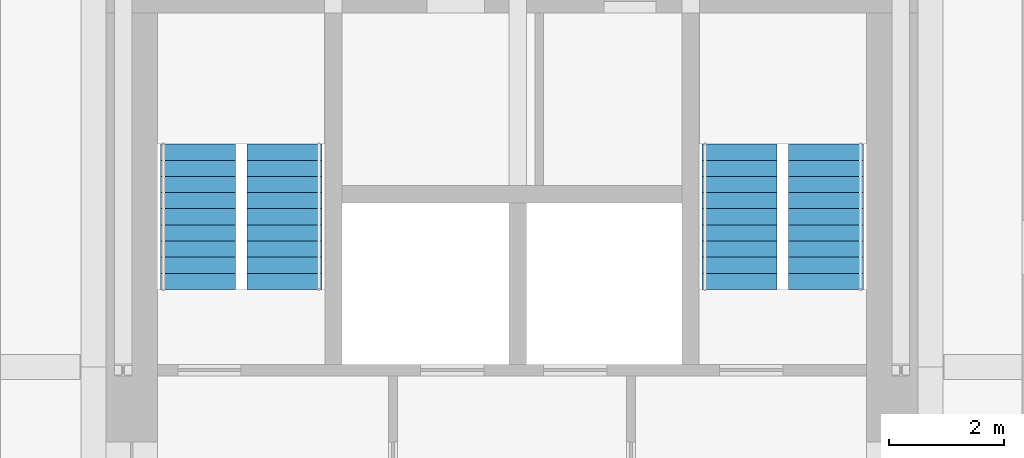
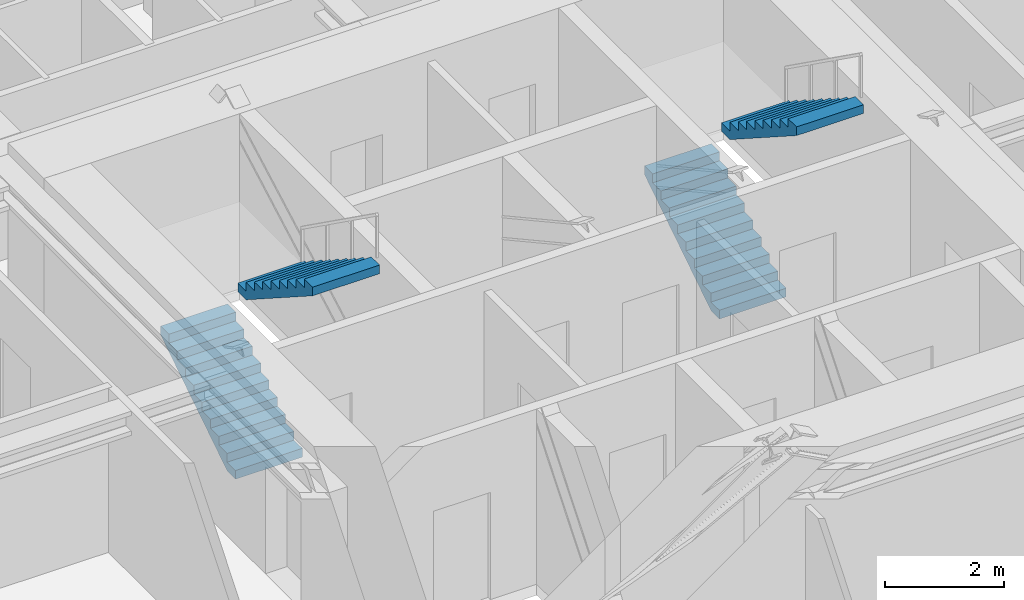
# One storey, part 7 of 8: 4 stair flights, 2 elements without a shape of their own.
"""IFC4 building model written with IfcOpenShell, lengths in metres."""

from ifc_helpers import new_model, si_unit, direction, frame, origin, place, context, subcontext, project, spatial, polyline, outline, extrude, material, type_object, element, aggregate, save


model = new_model("IFC4")

# Units and contexts
model_context = context("Model", 3, precision=1e-05, world=origin(), true_north=direction((0.0, 1.0)))
body_context = subcontext(model_context, "Body", "Model", "MODEL_VIEW")
ifc_project = project(units=[si_unit("LENGTHUNIT", "METRE"), si_unit("AREAUNIT", "SQUARE_METRE"), si_unit("VOLUMEUNIT", "CUBIC_METRE"), si_unit("PLANEANGLEUNIT", "RADIAN"), si_unit("MASSUNIT", "GRAM", prefix="KILO")], contexts=[model_context])

# Site, building, storey
site_placement = place(None, origin())
site = spatial("IfcSite", under=ifc_project, at=site_placement, CompositionType="ELEMENT")
building_placement = place(site_placement, origin())
building = spatial("IfcBuilding", under=site, at=building_placement, Name="Nyansa Garden Tower", CompositionType="ELEMENT")
storey_placement = place(building_placement, frame((0.0, 0.0, 222.300048828125)))
storey = spatial("IfcBuildingStorey", under=building, at=storey_placement, Name="L60", CompositionType="ELEMENT", Elevation=222.300048828125)

# Stair, stair flights
ifc_material_1 = material(Name="Precast concrete C40/50", Category="concrete")
stair_type_1 = type_object("IfcStairType", Name="Stair S1 180x280", PredefinedType="HALF_TURN_STAIR", material=ifc_material_1)
stair_1_placement = place(storey_placement, origin())
stair_1 = element("IfcStair", 1, at=stair_1_placement, inside=storey, type_object=stair_type_1, Name="Stair S1 L60", PredefinedType="HALF_TURN_STAIR")
ifc_material_2 = material(Name="Precast concrete C40/50", Category="concrete")
stair_flight_type_1 = type_object("IfcStairFlightType", Name="Stair flight S1 180x280x10", PredefinedType="STRAIGHT", material=ifc_material_2)
stair_flight_1_placement = place(storey_placement, frame((14.800048828125, 21.60009765625, 0.0), z_axis=(0.0, 0.0, 1.0), x_axis=(0.0, 1.0, 0.0)))
stair_flight_1 = element("IfcStairFlight", 2, at=stair_flight_1_placement, type_object=stair_flight_type_1, Name="S1 flight 1", NumberOfRisers=10, NumberOfTreads=9, PredefinedType="STRAIGHT", RiserHeight=0.18, TreadLength=0.28, context=body_context, shape_type="SweptSolid", body=[
    extrude(outline(polyline([(0.0, 0.0), (0.0, 0.179931640625), (0.280029296875, 0.179931640625), (0.280029296875, 0.360107421875), (0.56005859375, 0.360107421875), (0.56005859375, 0.5400390625), (0.840087890625, 0.5400390625), (0.840087890625, 0.719970703125), (1.1201171875, 0.719970703125), (1.1201171875, 0.89990234375), (1.39990234375, 0.89990234375), (1.39990234375, 1.080078125), (1.679931640625, 1.080078125), (1.679931640625, 1.260009765625), (1.9599609375, 1.260009765625), (1.9599609375, 1.43994140625), (2.239990234375, 1.43994140625), (2.239990234375, 1.6201171875), (2.52001953125, 1.6201171875), (2.52001953125, 1.800048828125), (2.52001953125, 1.44189453125), (0.277099609375, 0.0), (0.0, 0.0)])), frame((0.0, 0.64990234375, 0.0), z_axis=(0.0, -1.0, 0.0), x_axis=(1.0, 0.0, 0.0)), (0.0, 0.0, 1.0), 1.300048828125),
])
stair_flight_2_placement = place(storey_placement, frame((16.300048828125, 24.1201171875, 1.800048828125), z_axis=(0.0, 0.0, 1.0), x_axis=(0.0, -1.0, 0.0)))
stair_flight_2 = element("IfcStairFlight", 3, at=stair_flight_2_placement, type_object=stair_flight_type_1, Name="S1 flight 2", NumberOfRisers=10, NumberOfTreads=9, PredefinedType="STRAIGHT", RiserHeight=0.18, TreadLength=0.28, context=body_context, shape_type="SweptSolid", body=[
    extrude(outline(polyline([(0.0, 0.0), (0.0, 0.179931640625), (0.280029296875, 0.179931640625), (0.280029296875, 0.360107421875), (0.56005859375, 0.360107421875), (0.56005859375, 0.5400390625), (0.840087890625, 0.5400390625), (0.840087890625, 0.719970703125), (1.1201171875, 0.719970703125), (1.1201171875, 0.89990234375), (1.39990234375, 0.89990234375), (1.39990234375, 1.080078125), (1.679931640625, 1.080078125), (1.679931640625, 1.260009765625), (1.9599609375, 1.260009765625), (1.9599609375, 1.43994140625), (2.239990234375, 1.43994140625), (2.239990234375, 1.6201171875), (2.52001953125, 1.6201171875), (2.52001953125, 1.800048828125), (2.52001953125, 1.44189453125), (0.277099609375, 0.0), (0.0, 0.0)])), frame((0.0, 0.64990234375, 0.0), z_axis=(0.0, -1.0, 0.0), x_axis=(1.0, 0.0, 0.0)), (0.0, 0.0, 1.0), 1.300048828125),
])
aggregate(stair_1, [stair_flight_1, stair_flight_2])

ifc_material_3 = material(Name="Precast concrete C40/50", Category="concrete")
stair_type_2 = type_object("IfcStairType", Name="Stair S2 180x280", PredefinedType="HALF_TURN_STAIR", material=ifc_material_3)
stair_2_placement = place(storey_placement, origin())
stair_2 = element("IfcStair", 4, at=stair_2_placement, inside=storey, type_object=stair_type_2, Name="Stair S2 L60", PredefinedType="HALF_TURN_STAIR")
ifc_material_4 = material(Name="Precast concrete C40/50", Category="concrete")
stair_flight_type_2 = type_object("IfcStairFlightType", Name="Stair flight S2 180x280x10", PredefinedType="STRAIGHT", material=ifc_material_4)
stair_flight_3_placement = place(storey_placement, frame((24.199951171875, 21.60009765625, 0.0), z_axis=(0.0, 0.0, 1.0), x_axis=(0.0, 1.0, 0.0)))
stair_flight_3 = element("IfcStairFlight", 5, at=stair_flight_3_placement, type_object=stair_flight_type_2, Name="S2 flight 1", NumberOfRisers=10, NumberOfTreads=9, PredefinedType="STRAIGHT", RiserHeight=0.18, TreadLength=0.28, context=body_context, shape_type="SweptSolid", body=[
    extrude(outline(polyline([(0.0, 0.0), (0.0, 0.179931640625), (0.280029296875, 0.179931640625), (0.280029296875, 0.360107421875), (0.56005859375, 0.360107421875), (0.56005859375, 0.5400390625), (0.840087890625, 0.5400390625), (0.840087890625, 0.719970703125), (1.1201171875, 0.719970703125), (1.1201171875, 0.89990234375), (1.39990234375, 0.89990234375), (1.39990234375, 1.080078125), (1.679931640625, 1.080078125), (1.679931640625, 1.260009765625), (1.9599609375, 1.260009765625), (1.9599609375, 1.43994140625), (2.239990234375, 1.43994140625), (2.239990234375, 1.6201171875), (2.52001953125, 1.6201171875), (2.52001953125, 1.800048828125), (2.52001953125, 1.44189453125), (0.277099609375, 0.0), (0.0, 0.0)])), frame((0.0, 0.64990234375, 0.0), z_axis=(0.0, -1.0, 0.0), x_axis=(1.0, 0.0, 0.0)), (0.0, 0.0, 1.0), 1.300048828125),
])
stair_flight_4_placement = place(storey_placement, frame((25.699951171875, 24.1201171875, 1.800048828125), z_axis=(0.0, 0.0, 1.0), x_axis=(0.0, -1.0, 0.0)))
stair_flight_4 = element("IfcStairFlight", 6, at=stair_flight_4_placement, type_object=stair_flight_type_2, Name="S2 flight 2", NumberOfRisers=10, NumberOfTreads=9, PredefinedType="STRAIGHT", RiserHeight=0.18, TreadLength=0.28, context=body_context, shape_type="SweptSolid", body=[
    extrude(outline(polyline([(0.0, 0.0), (0.0, 0.179931640625), (0.280029296875, 0.179931640625), (0.280029296875, 0.360107421875), (0.56005859375, 0.360107421875), (0.56005859375, 0.5400390625), (0.840087890625, 0.5400390625), (0.840087890625, 0.719970703125), (1.1201171875, 0.719970703125), (1.1201171875, 0.89990234375), (1.39990234375, 0.89990234375), (1.39990234375, 1.080078125), (1.679931640625, 1.080078125), (1.679931640625, 1.260009765625), (1.9599609375, 1.260009765625), (1.9599609375, 1.43994140625), (2.239990234375, 1.43994140625), (2.239990234375, 1.6201171875), (2.52001953125, 1.6201171875), (2.52001953125, 1.800048828125), (2.52001953125, 1.44189453125), (0.277099609375, 0.0), (0.0, 0.0)])), frame((0.0, 0.64990234375, 0.0), z_axis=(0.0, -1.0, 0.0), x_axis=(1.0, 0.0, 0.0)), (0.0, 0.0, 1.0), 1.300048828125),
])
aggregate(stair_2, [stair_flight_3, stair_flight_4])

save(model, "model.ifc")
